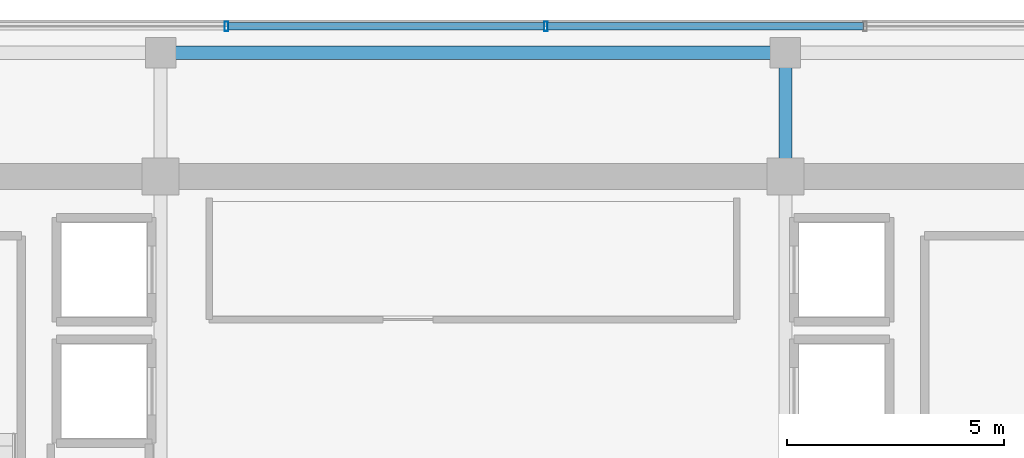
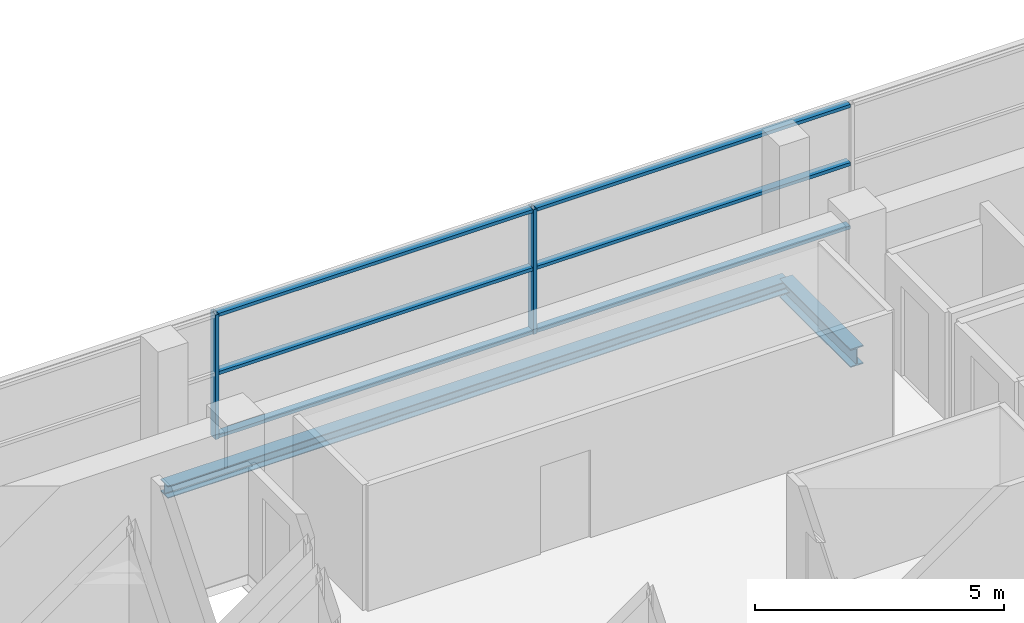
# One storey, part 13 of 23: 8 members, 2 beams, 1 element without a shape of its own.
"""IFC4 building model written with IfcOpenShell, lengths in metres."""

from ifc_helpers import new_model, si_unit, direction, frame, origin, origin_2d, place, context, subcontext, project, spatial, hollow_rectangle, i_section, extrude, source, transform, mapped, material, layer, layer_set, material_profile, profile_set, type_object, element, aggregate, save


model = new_model("IFC4")

# Units and contexts
model_context = context("Model", 3, precision=1e-05, world=origin(), true_north=direction((0.0, 1.0)))
body_context = subcontext(model_context, "Body", "Model", "MODEL_VIEW")
ifc_project = project(units=[si_unit("LENGTHUNIT", "METRE"), si_unit("AREAUNIT", "SQUARE_METRE"), si_unit("VOLUMEUNIT", "CUBIC_METRE"), si_unit("PLANEANGLEUNIT", "RADIAN"), si_unit("MASSUNIT", "GRAM", prefix="KILO")], contexts=[model_context])

# Site, building, storey
site_placement = place(None, origin())
site = spatial("IfcSite", under=ifc_project, at=site_placement, CompositionType="ELEMENT")
building_placement = place(site_placement, origin())
building = spatial("IfcBuilding", under=site, at=building_placement, Name="Zarnakvel Exchange Tower", CompositionType="ELEMENT")
storey_placement = place(building_placement, frame((0.0, 0.0, 218.800048828125)))
storey = spatial("IfcBuildingStorey", under=building, at=storey_placement, Name="L61", CompositionType="ELEMENT", Elevation=218.800048828125)

# Beams
ifc_material_1 = material(Name="Steel S355", Category="steel")
ifc_material_profile_1 = material_profile(ifc_material_1, i_section(OverallWidth=0.300048828125, OverallDepth=0.449951171875, WebThickness=0.013916015625, FlangeThickness=0.02587890625, FilletRadius=0.027099609375, at=origin_2d()))
ifc_profile_set_1 = profile_set([ifc_material_profile_1], Name="Steel S355")
beam_type_1 = type_object("IfcBeamType", Name="G-07", PredefinedType="BEAM", material=ifc_profile_set_1)
beam_1_placement = place(storey_placement, frame((7.199951171875, 13.5, -0.449951171875), z_axis=(0.0, 1.0, 0.0), x_axis=(-1.0, 0.0, 0.0)))
element("IfcBeam", 1, at=beam_1_placement, inside=storey, type_object=beam_type_1, Name="L61 Tower N-S Frame Beam", PredefinedType="BEAM", context=body_context, shape_type="SweptSolid", body=[
    extrude(i_section(OverallWidth=0.300048828125, OverallDepth=0.449951171875, WebThickness=0.013916015625, FlangeThickness=0.02587890625, FilletRadius=0.027099609375, at=origin_2d()), origin(), (0.0, 0.0, 1.0), 2.85009765625),
])
ifc_material_profile_2 = material_profile(ifc_material_1, i_section(OverallWidth=0.300048828125, OverallDepth=0.300048828125, WebThickness=0.010986328125, FlangeThickness=0.01904296875, FilletRadius=0.027099609375, at=origin_2d()))
ifc_profile_set_2 = profile_set([ifc_material_profile_2], Name="Steel S355")
beam_type_2 = type_object("IfcBeamType", Name="SP-03", PredefinedType="SPANDREL", material=ifc_profile_set_2)
beam_2_placement = place(storey_placement, frame((-7.199951171875, 16.35009765625, -0.375), z_axis=(1.0, 0.0, 0.0), x_axis=(0.0, 1.0, 0.0)))
element("IfcBeam", 2, at=beam_2_placement, inside=storey, type_object=beam_type_2, Name="L61 Tower E-W Frame Beam", PredefinedType="SPANDREL", context=body_context, shape_type="SweptSolid", body=[
    extrude(i_section(OverallWidth=0.300048828125, OverallDepth=0.300048828125, WebThickness=0.010986328125, FlangeThickness=0.01904296875, FilletRadius=0.027099609375, at=origin_2d()), origin(), (0.0, 0.0, 1.0), 14.39990234375),
])

# Curtain wall, members
ifc_material_2 = material(Name="Architectural Bronze Anodised Aluminium", Category="aluminium")
ifc_layer = layer(ifc_material_2, 0.219970703125)
ifc_layer_set = layer_set([ifc_layer], Name="Architectural Bronze Anodised Aluminium")
curtain_wall_type = type_object("IfcCurtainWallType", Name="CW-03", PredefinedType="NOTDEFINED", material=ifc_layer_set)
curtain_wall_placement = place(storey_placement, origin())
curtain_wall = element("IfcCurtainWall", 3, at=curtain_wall_placement, inside=storey, type_object=curtain_wall_type, Name="L61 Curtain Wall CW-L61-N1 (CW-03)", PredefinedType="NOTDEFINED")
ifc_material_profile_3 = material_profile(ifc_material_2, hollow_rectangle(XDim=0.219970703125, YDim=0.080078125, WallThickness=0.0048828125, at=origin_2d()))
ifc_profile_set_3 = profile_set([ifc_material_profile_3], Name="Architectural Bronze Anodised Aluminium")
member_type_1 = type_object("IfcMemberType", Name="CWM-03", PredefinedType="MULLION", material=ifc_profile_set_3)
shared_shape_1 = source(origin(), body_context, "Body", "SweptSolid", [
    extrude(hollow_rectangle(XDim=0.219970703125, YDim=0.080078125, WallThickness=0.0048828125, at=origin_2d()), origin(), (0.0, 0.0, 1.0), 3.054931640625),
])
member_1_placement = place(storey_placement, frame((-5.679931640625, 16.9599609375, 0.0), z_axis=(0.0, 0.0, 1.0), x_axis=(0.0, 1.0, 0.0)))
member_1 = element("IfcMember", 4, at=member_1_placement, type_object=member_type_1, Name="CW-03 mullion 3", PredefinedType="MULLION", context=body_context, shape_type="MappedRepresentation", body=[
    mapped(shared_shape_1, transform((0.0, 0.0, 0.0), x_axis=(1.0, 0.0, 0.0), y_axis=(0.0, 1.0, 0.0), z_axis=(0.0, 0.0, 1.0), scale=1.0)),
])
member_2_placement = place(storey_placement, frame((1.679931640625, 16.9599609375, 0.0), z_axis=(0.0, 0.0, 1.0), x_axis=(0.0, 1.0, 0.0)))
member_2 = element("IfcMember", 5, at=member_2_placement, type_object=member_type_1, Name="CW-03 mullion 4", PredefinedType="MULLION", context=body_context, shape_type="MappedRepresentation", body=[
    mapped(shared_shape_1, transform((0.0, 0.0, 0.0), x_axis=(1.0, 0.0, 0.0), y_axis=(0.0, 1.0, 0.0), z_axis=(0.0, 0.0, 1.0), scale=1.0)),
])
ifc_material_profile_4 = material_profile(ifc_material_2, hollow_rectangle(XDim=0.179931640625, YDim=0.080078125, WallThickness=0.00390625, at=origin_2d()))
ifc_profile_set_4 = profile_set([ifc_material_profile_4], Name="Architectural Bronze Anodised Aluminium")
member_type_2 = type_object("IfcMemberType", Name="CWT-03", PredefinedType="USERDEFINED", material=ifc_profile_set_4)
shared_shape_2 = source(origin(), body_context, "Body", "SweptSolid", [
    extrude(hollow_rectangle(XDim=0.179931640625, YDim=0.080078125, WallThickness=0.00390625, at=origin_2d()), origin(), (0.0, 0.0, 1.0), 7.280029296875),
])
member_3_placement = place(storey_placement, frame((1.719970703125, 16.9599609375, 0.0400390625), z_axis=(1.0, 0.0, 0.0), x_axis=(0.0, 1.0, 0.0)))
member_3 = element("IfcMember", 6, at=member_3_placement, type_object=member_type_2, Name="CW-03 transom 4.1", ObjectType="TRANSOM", PredefinedType="USERDEFINED", context=body_context, shape_type="MappedRepresentation", body=[
    mapped(shared_shape_2, transform((0.0, 0.0, 0.0), x_axis=(1.0, 0.0, 0.0), y_axis=(0.0, 1.0, 0.0), z_axis=(0.0, 0.0, 1.0), scale=1.0)),
])
member_4_placement = place(storey_placement, frame((1.719970703125, 16.9599609375, 1.588623046875), z_axis=(1.0, 0.0, 0.0), x_axis=(0.0, 1.0, 0.0)))
member_4 = element("IfcMember", 7, at=member_4_placement, type_object=member_type_2, Name="CW-03 transom 4.2", ObjectType="TRANSOM", PredefinedType="USERDEFINED", context=body_context, shape_type="MappedRepresentation", body=[
    mapped(shared_shape_2, transform((0.0, 0.0, 0.0), x_axis=(1.0, 0.0, 0.0), y_axis=(0.0, 1.0, 0.0), z_axis=(0.0, 0.0, 1.0), scale=1.0)),
])
member_5_placement = place(storey_placement, frame((1.719970703125, 16.9599609375, 3.014892578125), z_axis=(1.0, 0.0, 0.0), x_axis=(0.0, 1.0, 0.0)))
member_5 = element("IfcMember", 8, at=member_5_placement, type_object=member_type_2, Name="CW-03 transom 4.3", ObjectType="TRANSOM", PredefinedType="USERDEFINED", context=body_context, shape_type="MappedRepresentation", body=[
    mapped(shared_shape_2, transform((0.0, 0.0, 0.0), x_axis=(1.0, 0.0, 0.0), y_axis=(0.0, 1.0, 0.0), z_axis=(0.0, 0.0, 1.0), scale=1.0)),
])
shared_shape_3 = source(origin(), body_context, "Body", "SweptSolid", [
    extrude(hollow_rectangle(XDim=0.179931640625, YDim=0.080078125, WallThickness=0.00390625, at=origin_2d()), origin(), (0.0, 0.0, 1.0), 7.27978515625),
])
member_6_placement = place(storey_placement, frame((-5.639892578125, 16.9599609375, 0.0400390625), z_axis=(1.0, 0.0, 0.0), x_axis=(0.0, 1.0, 0.0)))
member_6 = element("IfcMember", 9, at=member_6_placement, type_object=member_type_2, Name="CW-03 transom 3.1", ObjectType="TRANSOM", PredefinedType="USERDEFINED", context=body_context, shape_type="MappedRepresentation", body=[
    mapped(shared_shape_3, transform((0.0, 0.0, 0.0), x_axis=(1.0, 0.0, 0.0), y_axis=(0.0, 1.0, 0.0), z_axis=(0.0, 0.0, 1.0), scale=1.0)),
])
member_7_placement = place(storey_placement, frame((-5.639892578125, 16.9599609375, 1.588623046875), z_axis=(1.0, 0.0, 0.0), x_axis=(0.0, 1.0, 0.0)))
member_7 = element("IfcMember", 10, at=member_7_placement, type_object=member_type_2, Name="CW-03 transom 3.2", ObjectType="TRANSOM", PredefinedType="USERDEFINED", context=body_context, shape_type="MappedRepresentation", body=[
    mapped(shared_shape_3, transform((0.0, 0.0, 0.0), x_axis=(1.0, 0.0, 0.0), y_axis=(0.0, 1.0, 0.0), z_axis=(0.0, 0.0, 1.0), scale=1.0)),
])
member_8_placement = place(storey_placement, frame((-5.639892578125, 16.9599609375, 3.014892578125), z_axis=(1.0, 0.0, 0.0), x_axis=(0.0, 1.0, 0.0)))
member_8 = element("IfcMember", 11, at=member_8_placement, type_object=member_type_2, Name="CW-03 transom 3.3", ObjectType="TRANSOM", PredefinedType="USERDEFINED", context=body_context, shape_type="MappedRepresentation", body=[
    mapped(shared_shape_3, transform((0.0, 0.0, 0.0), x_axis=(1.0, 0.0, 0.0), y_axis=(0.0, 1.0, 0.0), z_axis=(0.0, 0.0, 1.0), scale=1.0)),
])
aggregate(curtain_wall, [member_1, member_2, member_6, member_7, member_8, member_3, member_4, member_5])

save(model, "model.ifc")
